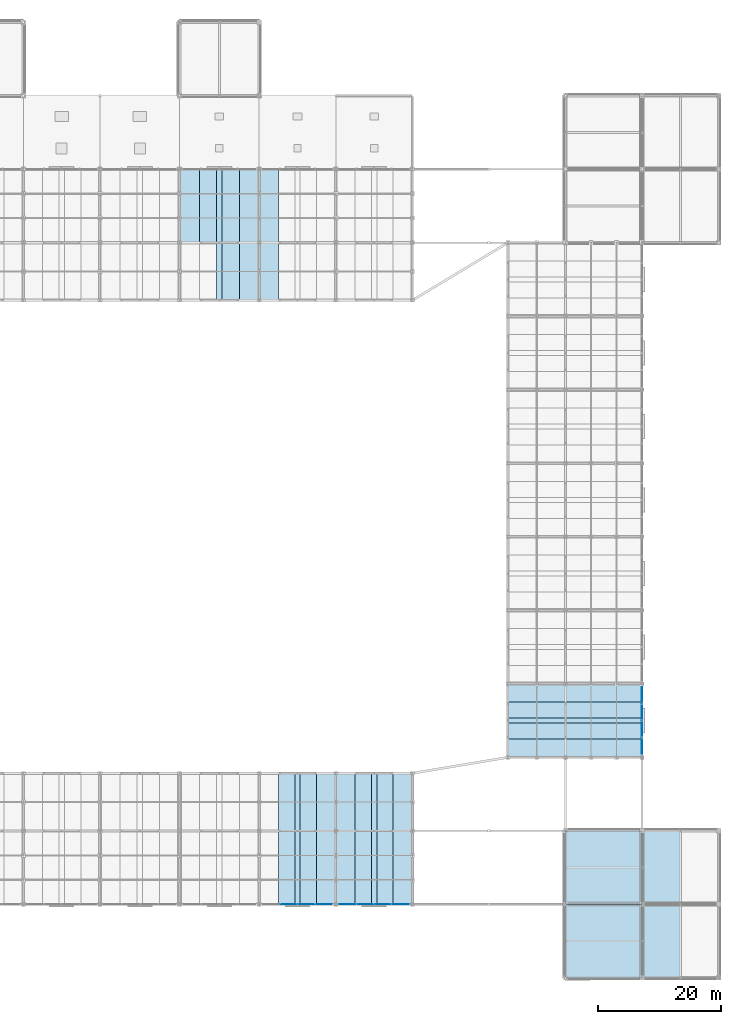
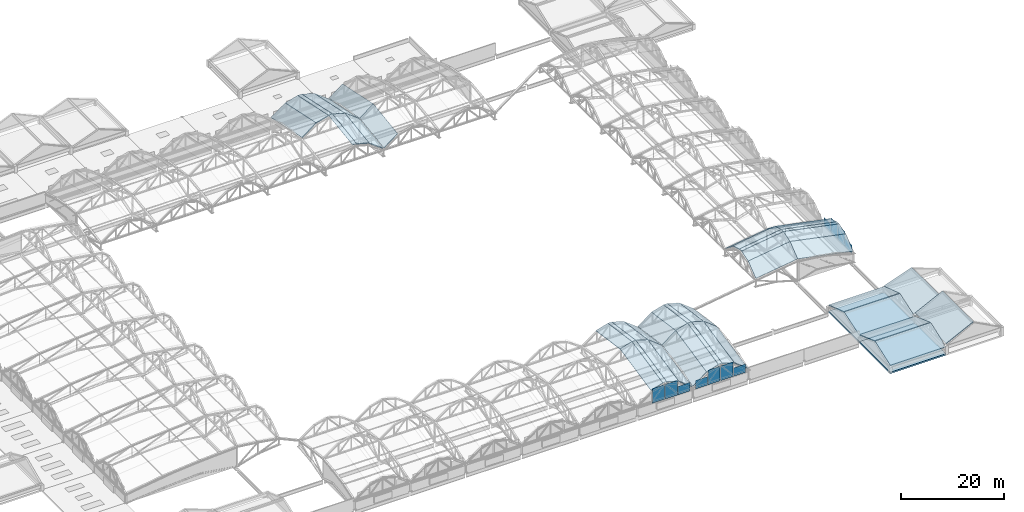
# One storey, part 93 of 117: 38 slabs, 19 plates.
"""IFC4 building model written with IfcOpenShell, lengths in metres."""

from ifc_helpers import new_model, si_unit, direction, frame, origin, origin_2d, place, context, subcontext, project, spatial, polyline, rectangle, outline, extrude, material, layer, layer_set, type_object, element, save


model = new_model("IFC4")

# Units and contexts
model_context = context("Model", 3, precision=1e-05, world=origin(), true_north=direction((0.0, 1.0)))
body_context = subcontext(model_context, "Body", "Model", "MODEL_VIEW")
ifc_project = project(units=[si_unit("LENGTHUNIT", "METRE"), si_unit("AREAUNIT", "SQUARE_METRE"), si_unit("VOLUMEUNIT", "CUBIC_METRE"), si_unit("PLANEANGLEUNIT", "RADIAN"), si_unit("MASSUNIT", "GRAM", prefix="KILO")], contexts=[model_context])

# Site, building, storey
site_placement = place(None, origin())
site = spatial("IfcSite", under=ifc_project, at=site_placement, CompositionType="ELEMENT")
building_placement = place(site_placement, origin())
building = spatial("IfcBuilding", under=site, at=building_placement, Name="Kazenohara Klinker Stadium", CompositionType="ELEMENT")
storey_placement = place(building_placement, frame((0.0, 0.0, 31.199951171875)))
storey = spatial("IfcBuildingStorey", under=building, at=storey_placement, Name="RF", CompositionType="ELEMENT", Elevation=31.199951171875)

# Plates
ifc_material_1 = material(Name="Low-e laminated triple glazing", Category="glass")
ifc_layer_1 = layer(ifc_material_1, 0.0439453125)
ifc_layer_set_1 = layer_set([ifc_layer_1], Name="Low-e laminated triple glazing")
plate_type_1 = type_object("IfcPlateType", Name="PLT-GLZ-CLER", PredefinedType="USERDEFINED", material=ifc_layer_set_1)
plate_1_placement = place(storey_placement, frame((187.5, 49.889892578125, 1.650146484375), z_axis=(0.0, 0.0, 1.0), x_axis=(1.0, 0.0, 0.0)))
element("IfcPlate", 1, at=plate_1_placement, inside=storey, type_object=plate_type_1, Name="Arched barrel clerestory glazing panel CP02 E-01-Q1", ObjectType="CLERESTORY GLAZING", PredefinedType="USERDEFINED", context=body_context, shape_type="SweptSolid", body=[
    extrude(rectangle(XDim=0.0439453125, YDim=2.580078125, at=origin_2d()), origin(), (0.0, 0.0, 1.0), 2.0),
])
for number, where, z_axis, x_axis, name in (
    (2, (187.5, 52.6201171875, 1.650146484375), (0.0, 0.0, 1.0), (1.0, 0.0, 0.0), "Arched barrel clerestory glazing panel CP02 E-01-Q2"),
    (3, (187.5, 55.3798828125, 1.650146484375), (0.0, 0.0, 1.0), (1.0, 0.0, 0.0), "Arched barrel clerestory glazing panel CP02 E-01-Q3"),
):
    element("IfcPlate", number, at=place(storey_placement, frame(where, z_axis=z_axis, x_axis=x_axis)), inside=storey, type_object=plate_type_1, Name=name, ObjectType="CLERESTORY GLAZING", PredefinedType="USERDEFINED", context=body_context, shape_type="SweptSolid", body=[
        extrude(rectangle(XDim=0.0439453125, YDim=2.639892578125, at=origin_2d()), origin(), (0.0, 0.0, 1.0), 3.5),
    ])
plate_2_placement = place(storey_placement, frame((187.5, 58.110107421875, 1.650146484375), z_axis=(0.0, 0.0, 1.0), x_axis=(1.0, 0.0, 0.0)))
element("IfcPlate", 4, at=plate_2_placement, inside=storey, type_object=plate_type_1, Name="Arched barrel clerestory glazing panel CP02 E-01-Q4", ObjectType="CLERESTORY GLAZING", PredefinedType="USERDEFINED", context=body_context, shape_type="SweptSolid", body=[
    extrude(rectangle(XDim=0.0439453125, YDim=2.580078125, at=origin_2d()), origin(), (0.0, 0.0, 1.0), 2.0),
])
for number, where, z_axis, x_axis, name in (
    (5, (129.8125, 24.0, 1.650146484375), (0.0, 0.0, 1.0), (1.0, 0.0, 0.0), "Arched barrel clerestory glazing panel CP02 S-06-Q2"),
    (6, (132.6875, 24.0, 1.650146484375), (0.0, 0.0, 1.0), (1.0, 0.0, 0.0), "Arched barrel clerestory glazing panel CP02 S-06-Q3"),
):
    element("IfcPlate", number, at=place(storey_placement, frame(where, z_axis=z_axis, x_axis=x_axis)), inside=storey, type_object=plate_type_1, Name=name, ObjectType="CLERESTORY GLAZING", PredefinedType="USERDEFINED", context=body_context, shape_type="SweptSolid", body=[
        extrude(rectangle(XDim=2.75, YDim=0.0439453125, at=origin_2d()), origin(), (0.0, 0.0, 1.0), 3.5),
    ])
for number, where, z_axis, x_axis, name in (
    (7, (135.53125, 24.0, 1.650146484375), (0.0, 0.0, 1.0), (1.0, 0.0, 0.0), "Arched barrel clerestory glazing panel CP02 S-06-Q4"),
    (8, (139.46875, 24.0, 1.650146484375), (0.0, 0.0, 1.0), (1.0, 0.0, 0.0), "Arched barrel clerestory glazing panel CP02 S-07-Q1"),
):
    element("IfcPlate", number, at=place(storey_placement, frame(where, z_axis=z_axis, x_axis=x_axis)), inside=storey, type_object=plate_type_1, Name=name, ObjectType="CLERESTORY GLAZING", PredefinedType="USERDEFINED", context=body_context, shape_type="SweptSolid", body=[
        extrude(rectangle(XDim=2.6875, YDim=0.0439453125, at=origin_2d()), origin(), (0.0, 0.0, 1.0), 2.0),
    ])
for number, where, z_axis, x_axis, name in (
    (9, (142.3125, 24.0, 1.650146484375), (0.0, 0.0, 1.0), (1.0, 0.0, 0.0), "Arched barrel clerestory glazing panel CP02 S-07-Q2"),
    (10, (145.1875, 24.0, 1.650146484375), (0.0, 0.0, 1.0), (1.0, 0.0, 0.0), "Arched barrel clerestory glazing panel CP02 S-07-Q3"),
):
    element("IfcPlate", number, at=place(storey_placement, frame(where, z_axis=z_axis, x_axis=x_axis)), inside=storey, type_object=plate_type_1, Name=name, ObjectType="CLERESTORY GLAZING", PredefinedType="USERDEFINED", context=body_context, shape_type="SweptSolid", body=[
        extrude(rectangle(XDim=2.75, YDim=0.0439453125, at=origin_2d()), origin(), (0.0, 0.0, 1.0), 3.5),
    ])
plate_3_placement = place(storey_placement, frame((148.03125, 24.0, 1.650146484375), z_axis=(0.0, 0.0, 1.0), x_axis=(1.0, 0.0, 0.0)))
element("IfcPlate", 11, at=plate_3_placement, inside=storey, type_object=plate_type_1, Name="Arched barrel clerestory glazing panel CP02 S-07-Q4", ObjectType="CLERESTORY GLAZING", PredefinedType="USERDEFINED", context=body_context, shape_type="SweptSolid", body=[
    extrude(rectangle(XDim=2.6875, YDim=0.0439453125, at=origin_2d()), origin(), (0.0, 0.0, 1.0), 2.0),
])
ifc_material_2 = material(Name="Low-e laminated skylight triple glazing", Category="glass")
ifc_layer_2 = layer(ifc_material_2, 0.048095703125)
ifc_layer_set_2 = layer_set([ifc_layer_2], Name="Low-e laminated skylight triple glazing")
plate_type_2 = type_object("IfcPlateType", Name="PLT-GLZ-VALLEY", PredefinedType="USERDEFINED", material=ifc_layer_set_2)
plate_4_placement = place(storey_placement, frame((187.5, 53.580078125, 5.670166015625), z_axis=(0.199868526152, 0.0, 0.979822724912), x_axis=(-0.979822724912, 0.0, 0.199868526152)))
element("IfcPlate", 12, at=plate_4_placement, inside=storey, type_object=plate_type_2, Name="Barrel-shell valley skylight glazing joint SKG1 E-01-OUT", ObjectType="SKYLIGHT GLAZING", PredefinedType="USERDEFINED", context=body_context, shape_type="SweptSolid", body=[
    extrude(outline(polyline([(0.0, 0.0), (12.757409766265132, 0.0), (12.757409766265132, -0.8398437500000002), (0.0, -0.8398437500000002), (0.0, 0.0)])), origin(), (0.0, 0.0, -1.0), 0.048095703125),
])
plate_5_placement = place(storey_placement, frame((175.0, 53.580078125, 8.219970703125), z_axis=(-0.142144768244, 0.0, 0.989845879347), x_axis=(-0.989845879347, 0.0, -0.142144768244)))
element("IfcPlate", 13, at=plate_5_placement, inside=storey, type_object=plate_type_2, Name="Barrel-shell valley skylight glazing joint SKG1 E-01-IN", ObjectType="SKYLIGHT GLAZING", PredefinedType="USERDEFINED", context=body_context, shape_type="SweptSolid", body=[
    extrude(outline(polyline([(0.0, 0.0), (9.496329216369972, 0.0), (9.496329216369972, -0.83984375), (0.0, -0.83984375), (0.0, 0.0)])), origin(), (0.0, 0.0, -1.0), 0.048095703125),
])
plate_6_placement = place(storey_placement, frame((118.044921875, 144.0, 5.670166015625), z_axis=(0.0, 0.207843523042, 0.978162087759), x_axis=(0.0, -0.978162087759, 0.207843523042)))
element("IfcPlate", 14, at=plate_6_placement, inside=storey, type_object=plate_type_2, Name="Barrel-shell valley skylight glazing joint SKG1 N-05-OUT", ObjectType="SKYLIGHT GLAZING", PredefinedType="USERDEFINED", context=body_context, shape_type="SweptSolid", body=[
    extrude(outline(polyline([(0.0, 0.0), (12.26790544242973, 0.0), (12.26790544242973, 0.91015625), (0.0, 0.91015625), (0.0, 0.0)])), origin(), (0.0, 0.0, -1.0), 0.048095703125),
])
plate_7_placement = place(storey_placement, frame((118.044921875, 132.0, 8.219970703125), z_axis=(0.0, -0.142144768244, 0.989845879347), x_axis=(0.0, -0.989845879347, -0.142144768244)))
element("IfcPlate", 15, at=plate_7_placement, inside=storey, type_object=plate_type_2, Name="Barrel-shell valley skylight glazing joint SKG1 N-05-IN", ObjectType="SKYLIGHT GLAZING", PredefinedType="USERDEFINED", context=body_context, shape_type="SweptSolid", body=[
    extrude(outline(polyline([(0.0, 0.0), (9.496329216369972, 0.0), (9.496329216369972, 0.91015625), (0.0, 0.91015625), (0.0, 0.0)])), origin(), (0.0, 0.0, -1.0), 0.048095703125),
])
plate_8_placement = place(storey_placement, frame((130.8125, 24.0, 5.670166015625), z_axis=(0.0, -0.207843523042, 0.978162087759), x_axis=(0.0, 0.978162087759, 0.207843523042)))
element("IfcPlate", 16, at=plate_8_placement, inside=storey, type_object=plate_type_2, Name="Barrel-shell valley skylight glazing joint SKG1 S-06-OUT", ObjectType="SKYLIGHT GLAZING", PredefinedType="USERDEFINED", context=body_context, shape_type="SweptSolid", body=[
    extrude(outline(polyline([(0.0, 0.0), (12.26790544242973, 0.0), (12.26790544242973, -0.875), (0.0, -0.875), (0.0, 0.0)])), origin(), (0.0, 0.0, -1.0), 0.048095703125),
])
plate_9_placement = place(storey_placement, frame((130.8125, 36.0, 8.219970703125), z_axis=(0.0, 0.142144768244, 0.989845879347), x_axis=(0.0, 0.989845879347, -0.142144768244)))
element("IfcPlate", 17, at=plate_9_placement, inside=storey, type_object=plate_type_2, Name="Barrel-shell valley skylight glazing joint SKG1 S-06-IN", ObjectType="SKYLIGHT GLAZING", PredefinedType="USERDEFINED", context=body_context, shape_type="SweptSolid", body=[
    extrude(outline(polyline([(0.0, 0.0), (9.496329216369972, 0.0), (9.496329216369972, -0.875), (0.0, -0.875), (0.0, 0.0)])), origin(), (0.0, 0.0, -1.0), 0.048095703125),
])
plate_10_placement = place(storey_placement, frame((143.3125, 24.0, 5.670166015625), z_axis=(0.0, -0.207843523042, 0.978162087759), x_axis=(0.0, 0.978162087759, 0.207843523042)))
element("IfcPlate", 18, at=plate_10_placement, inside=storey, type_object=plate_type_2, Name="Barrel-shell valley skylight glazing joint SKG1 S-07-OUT", ObjectType="SKYLIGHT GLAZING", PredefinedType="USERDEFINED", context=body_context, shape_type="SweptSolid", body=[
    extrude(outline(polyline([(0.0, 0.0), (12.26790544242973, 0.0), (12.26790544242973, -0.875), (0.0, -0.875), (0.0, 0.0)])), origin(), (0.0, 0.0, -1.0), 0.048095703125),
])
plate_11_placement = place(storey_placement, frame((143.3125, 36.0, 8.219970703125), z_axis=(0.0, 0.142144768244, 0.989845879347), x_axis=(0.0, 0.989845879347, -0.142144768244)))
element("IfcPlate", 19, at=plate_11_placement, inside=storey, type_object=plate_type_2, Name="Barrel-shell valley skylight glazing joint SKG1 S-07-IN", ObjectType="SKYLIGHT GLAZING", PredefinedType="USERDEFINED", context=body_context, shape_type="SweptSolid", body=[
    extrude(outline(polyline([(0.0, 0.0), (9.496329216369972, 0.0), (9.496329216369972, -0.875), (0.0, -0.875), (0.0, 0.0)])), origin(), (0.0, 0.0, -1.0), 0.048095703125),
])

# Slabs
ifc_material_3 = material(Name="Steel S355", Category="steel")
ifc_layer_3 = layer(ifc_material_3, 0.18994140625)
ifc_layer_set_3 = layer_set([ifc_layer_3], Name="Steel S355")
slab_type_1 = type_object("IfcSlabType", Name="SLB-ROOF-190", PredefinedType="ROOF", material=ifc_layer_set_3)
slab_1_placement = place(storey_placement, frame((187.5, 12.0, 2.469970703125), z_axis=(-0.441703727171, 0.0, 0.897160976304), x_axis=(0.897160976304, 0.0, 0.441703727171)))
element("IfcSlab", 20, at=slab_1_placement, inside=storey, type_object=slab_type_1, Name="Pitched turret crown roof slab RS03 GT4-SE-A", PredefinedType="ROOF", context=body_context, shape_type="SweptSolid", body=[
    extrude(outline(polyline([(0.0, 0.0), (6.905191513004975, 0.0), (6.905191513004975, 12.0), (0.0, 12.0), (0.0, 0.0)])), origin(), (0.0, 0.0, -1.0), 0.18994140625),
])
for number, where, z_axis, x_axis, name in (
    (21, (175.0, 12.0, 1.670166015625), (0.0, -0.340074319183, 0.940398563074), (1.0, 0.0, 0.0), "Pitched turret crown roof slab RS03 GT4-SW-A"),
    (22, (175.0, 18.054931640625, 3.820068359375), (0.0, 0.340074319183, 0.940398563074), (1.0, 0.0, 0.0), "Pitched turret crown roof slab RS03 GT4-SW-B"),
):
    element("IfcSlab", number, at=place(storey_placement, frame(where, z_axis=z_axis, x_axis=x_axis)), inside=storey, type_object=slab_type_1, Name=name, PredefinedType="ROOF", context=body_context, shape_type="SweptSolid", body=[
        extrude(outline(polyline([(0.0, 0.0), (12.5, 0.0), (12.5, 6.321860318395489), (0.0, 6.321860318395489), (0.0, 0.0)])), origin(), (0.0, 0.0, -1.0), 0.18994140625),
    ])
slab_2_placement = place(storey_placement, frame((187.5, 24.0, 1.670166015625), z_axis=(-0.327853404288, 0.0, 0.944728609335), x_axis=(0.944728609335, 0.0, 0.327853404288)))
element("IfcSlab", 23, at=slab_2_placement, inside=storey, type_object=slab_type_1, Name="Pitched turret crown roof slab RS03 GT4-NE-A", PredefinedType="ROOF", context=body_context, shape_type="SweptSolid", body=[
    extrude(outline(polyline([(0.0, 0.0), (6.557511118175173, 0.0), (6.557511118175173, 12.0), (0.0, 12.0), (0.0, 0.0)])), origin(), (0.0, 0.0, -1.0), 0.18994140625),
])
for number, where, z_axis, x_axis, name in (
    (24, (175.0, 24.0, 1.469970703125), (0.0, -0.31885382794, 0.947803901874), (1.0, 0.0, 0.0), "Pitched turret crown roof slab RS03 GT4-NW-A"),
    (25, (175.0, 30.054931640625, 3.469970703125), (0.0, 0.31885382794, 0.947803901874), (1.0, 0.0, 0.0), "Pitched turret crown roof slab RS03 GT4-NW-B"),
):
    element("IfcSlab", number, at=place(storey_placement, frame(where, z_axis=z_axis, x_axis=x_axis)), inside=storey, type_object=slab_type_1, Name=name, PredefinedType="ROOF", context=body_context, shape_type="SweptSolid", body=[
        extrude(outline(polyline([(0.0, 0.0), (12.5, 0.0), (12.5, 6.272466643804632), (0.0, 6.272466643804632), (0.0, 0.0)])), origin(), (0.0, 0.0, -1.0), 0.18994140625),
    ])
slab_3_placement = place(storey_placement, frame((187.5, 48.06005859375, 2.51806640625), z_axis=(0.157314226472, -0.616932337274, 0.771133403099), x_axis=(-0.979818977014, 0.0, 0.199886898729)))
element("IfcSlab", 26, at=slab_3_placement, inside=storey, type_object=slab_type_1, Name="Scalloped barrel-arch canopy slab E-01 outer strip 1", PredefinedType="ROOF", context=body_context, shape_type="SweptSolid", body=[
    extrude(outline(polyline([(0.0, 0.0), (12.757458564534776, 0.0), (13.227602700851302, -3.7355538867548352), (0.47014413631652474, -3.7355538867548352), (0.0, 0.0)])), origin(), (0.0, 0.0, -1.0), 0.18994140625),
])
slab_4_placement = place(storey_placement, frame((175.0, 48.06005859375, 5.068115234375), z_axis=(-0.111454741468, -0.620818608848, 0.775991040871), x_axis=(-0.989842261755, 0.0, -0.1421699576)))
element("IfcSlab", 27, at=slab_4_placement, inside=storey, type_object=slab_type_1, Name="Scalloped barrel-arch canopy slab E-01 inner strip 1", PredefinedType="ROOF", context=body_context, shape_type="SweptSolid", body=[
    extrude(outline(polyline([(0.0, 0.0), (9.496363922757409, 0.0), (9.16197296291469, -3.750144135328325), (-0.33439095984271777, -3.750144135328325), (0.0, 0.0)])), origin(), (0.0, 0.0, -1.0), 0.18994140625),
])
slab_5_placement = place(storey_placement, frame((187.5, 51.0, 4.8701171875), z_axis=(0.191468362766, -0.28701019737, 0.93859736451), x_axis=(-0.979820696633, 2.577642e-06, 0.199878469184)))
element("IfcSlab", 28, at=slab_5_placement, inside=storey, type_object=slab_type_1, Name="Scalloped barrel-arch canopy slab E-01 outer strip 2", PredefinedType="ROOF", context=body_context, shape_type="SweptSolid", body=[
    extrude(outline(polyline([(0.0, 0.0), (12.757458564020277, 0.0), (12.91732904362879, -2.730826108913155), (0.15991927806290396, -2.7308947656607114), (0.0, 0.0)])), origin(), (0.0, 0.0, -1.0), 0.18994140625),
])
slab_6_placement = place(storey_placement, frame((175.0, 51.0, 7.420166015625), z_axis=(-0.136061259308, -0.289700944037, 0.947396800047), x_axis=(-0.989843918815, -3.528048e-06, -0.142158419982)))
element("IfcSlab", 29, at=slab_6_placement, inside=storey, type_object=slab_type_1, Name="Scalloped barrel-arch canopy slab E-01 inner strip 2", PredefinedType="ROOF", context=body_context, shape_type="SweptSolid", body=[
    extrude(outline(polyline([(0.0, 0.0), (9.49636392205321, 0.0), (9.382621015480932, -2.733207446859171), (-0.11370819992677195, -2.733137437523795), (0.0, 0.0)])), origin(), (0.0, 0.0, -1.0), 0.18994140625),
])
slab_7_placement = place(storey_placement, frame((187.5, 54.384033203125, 5.670166015625), z_axis=(0.191468362766, 0.28701019737, 0.93859736451), x_axis=(-0.979821005365, 2.577652e-06, 0.199876955745)))
element("IfcSlab", 30, at=slab_7_placement, inside=storey, type_object=slab_type_1, Name="Scalloped barrel-arch canopy slab E-01 outer strip 3", PredefinedType="ROOF", context=body_context, shape_type="SweptSolid", body=[
    extrude(outline(polyline([(0.0, 0.0), (12.757409765750632, 1.1102230246251565e-16), (12.597553982673135, -2.7308269692510176), (-0.1599045811623955, -2.7308956262611925), (0.0, 0.0)])), origin(), (0.0, 0.0, -1.0), 0.18994140625),
])
slab_8_placement = place(storey_placement, frame((175.0, 54.384033203125, 8.219970703125), z_axis=(-0.136061259308, 0.289700944037, 0.947396800047), x_axis=(-0.989844222428, -3.528061e-06, -0.142156305924)))
element("IfcSlab", 31, at=slab_8_placement, inside=storey, type_object=slab_type_1, Name="Scalloped barrel-arch canopy slab E-01 inner strip 3", PredefinedType="ROOF", context=body_context, shape_type="SweptSolid", body=[
    extrude(outline(polyline([(0.0, 0.0), (9.496329215665769, -1.1102230246251565e-16), (9.61005197233993, -2.7332082853263064), (0.11368805054478547, -2.7331382757350666), (0.0, 0.0)])), origin(), (0.0, 0.0, -1.0), 0.18994140625),
])
slab_9_placement = place(storey_placement, frame((187.5, 57.0, 4.8701171875), z_axis=(0.157314226472, 0.616932337274, 0.771133403099), x_axis=(-0.979818977014, 0.0, 0.199886898729)))
element("IfcSlab", 32, at=slab_9_placement, inside=storey, type_object=slab_type_1, Name="Scalloped barrel-arch canopy slab E-01 outer strip 4", PredefinedType="ROOF", context=body_context, shape_type="SweptSolid", body=[
    extrude(outline(polyline([(0.0, 0.0), (12.757458564534776, 0.0), (12.287314428218252, -3.7355538867548352), (-0.47014413631652474, -3.7355538867548352), (0.0, 0.0)])), origin(), (0.0, 0.0, -1.0), 0.18994140625),
])
slab_10_placement = place(storey_placement, frame((175.0, 57.0, 7.420166015625), z_axis=(-0.111454741468, 0.620818608848, 0.775991040871), x_axis=(-0.989842261755, 0.0, -0.1421699576)))
element("IfcSlab", 33, at=slab_10_placement, inside=storey, type_object=slab_type_1, Name="Scalloped barrel-arch canopy slab E-01 inner strip 4", PredefinedType="ROOF", context=body_context, shape_type="SweptSolid", body=[
    extrude(outline(polyline([(0.0, 0.0), (9.496363922757409, 0.0), (9.830754882600127, -3.750144135328325), (0.33439095984271777, -3.750144135328325), (0.0, 0.0)])), origin(), (0.0, 0.0, -1.0), 0.18994140625),
])
slab_11_placement = place(storey_placement, frame((112.06494140625, 144.0, 2.51806640625), z_axis=(-0.585550314677, 0.168500890819, 0.79293018531), x_axis=(0.0, -0.978158041674, 0.207862563991)))
element("IfcSlab", 34, at=slab_11_placement, inside=storey, type_object=slab_type_1, Name="Scalloped barrel-arch canopy slab N-05 outer strip 1", PredefinedType="ROOF", context=body_context, shape_type="SweptSolid", body=[
    extrude(outline(polyline([(0.0, 0.0), (12.267956187801687, -2.220446049250313e-16), (12.75685949382921, 3.929085730873637), (0.48890330602752313, 3.929085730873637), (0.0, 0.0)])), origin(), (0.0, 0.0, -1.0), 0.18994140625),
])
slab_12_placement = place(storey_placement, frame((115.25, 144.0, 4.8701171875), z_axis=(-0.266140012062, 0.200356695204, 0.942882118118), x_axis=(2.496925e-06, -0.978159921463, 0.207853717884)))
element("IfcSlab", 35, at=slab_12_placement, inside=storey, type_object=slab_type_1, Name="Scalloped barrel-arch canopy slab N-05 outer strip 2", PredefinedType="ROOF", context=body_context, shape_type="SweptSolid", body=[
    extrude(outline(polyline([(0.0, 0.0), (12.267956187261762, 0.0), (12.43420564138465, 2.9399857281366906), (0.16630019965948178, 2.940049284531471), (0.0, 0.0)])), origin(), (0.0, 0.0, -1.0), 0.18994140625),
])
slab_13_placement = place(storey_placement, frame((118.916015625, 144.0, 5.670166015625), z_axis=(0.266140012062, 0.200356695204, 0.942882118118), x_axis=(2.496935e-06, -0.978160208049, 0.207852369204)))
element("IfcSlab", 36, at=slab_13_placement, inside=storey, type_object=slab_type_1, Name="Scalloped barrel-arch canopy slab N-05 outer strip 3", PredefinedType="ROOF", context=body_context, shape_type="SweptSolid", body=[
    extrude(outline(polyline([(0.0, 0.0), (12.267905441889804, 1.1102230246251565e-16), (12.101671218966882, 2.9399865893865567), (-0.1662849681302476, 2.940050146044234), (0.0, 0.0)])), origin(), (0.0, 0.0, -1.0), 0.18994140625),
])
slab_14_placement = place(storey_placement, frame((118.916015625, 132.0, 8.219970703125), z_axis=(0.269090093671, -0.136913889971, 0.953333681468), x_axis=(-3.297592e-06, -0.989844201596, -0.14215645098)))
element("IfcSlab", 37, at=slab_14_placement, inside=storey, type_object=slab_type_1, Name="Scalloped barrel-arch canopy slab N-05 inner strip 3", PredefinedType="ROOF", context=body_context, shape_type="SweptSolid", body=[
    extrude(outline(polyline([(0.0, 0.0), (9.496329215656914, 0.0), (9.610051972348888, 2.9425520702607555), (0.11368805052718453, 2.9424870415204203), (0.0, 0.0)])), origin(), (0.0, 0.0, -1.0), 0.18994140625),
])
slab_15_placement = place(storey_placement, frame((121.75, 144.0, 4.8701171875), z_axis=(0.585550314677, 0.168500890819, 0.79293018531), x_axis=(0.0, -0.978158041674, 0.207862563991)))
element("IfcSlab", 38, at=slab_15_placement, inside=storey, type_object=slab_type_1, Name="Scalloped barrel-arch canopy slab N-05 outer strip 4", PredefinedType="ROOF", context=body_context, shape_type="SweptSolid", body=[
    extrude(outline(polyline([(0.0, 0.0), (12.267956187801687, 2.220446049250313e-16), (11.779052881774163, 3.9290857308736378), (-0.48890330602752313, 3.929085730873637), (0.0, 0.0)])), origin(), (0.0, 0.0, -1.0), 0.18994140625),
])
slab_16_placement = place(storey_placement, frame((121.75, 132.0, 7.420166015625), z_axis=(0.590118441412, -0.114776178456, 0.799116170506), x_axis=(0.0, -0.989842261755, -0.1421699576)))
element("IfcSlab", 39, at=slab_16_placement, inside=storey, type_object=slab_type_1, Name="Scalloped barrel-arch canopy slab N-05 inner strip 4", PredefinedType="ROOF", context=body_context, shape_type="SweptSolid", body=[
    extrude(outline(polyline([(0.0, 0.0), (9.496363922757409, -1.1102230246251565e-16), (9.830754882600127, 3.9452406528848063), (0.33439095984271777, 3.9452406528848067), (0.0, 0.0)])), origin(), (0.0, 0.0, -1.0), 0.18994140625),
])
slab_17_placement = place(storey_placement, frame((125.0625, 144.0, 2.51806640625), z_axis=(-0.600635128848, 0.166190954627, 0.782060105487), x_axis=(0.0, -0.978158041674, 0.207862563991)))
element("IfcSlab", 40, at=slab_17_placement, inside=storey, type_object=slab_type_1, Name="Scalloped barrel-arch canopy slab N-06 outer strip 1", PredefinedType="ROOF", context=body_context, shape_type="SweptSolid", body=[
    extrude(outline(polyline([(0.0, 0.0), (12.267956187801687, 0.0), (12.75685949382921, 3.8304076395253412), (0.48890330602752313, 3.8304076395253412), (0.0, 0.0)])), origin(), (0.0, 0.0, -1.0), 0.18994140625),
])
slab_18_placement = place(storey_placement, frame((125.0625, 132.0, 5.068115234375), z_axis=(-0.605191890352, -0.113178607114, 0.787993260595), x_axis=(0.0, -0.989842261755, -0.1421699576)))
element("IfcSlab", 41, at=slab_18_placement, inside=storey, type_object=slab_type_1, Name="Scalloped barrel-arch canopy slab N-06 inner strip 1", PredefinedType="ROOF", context=body_context, shape_type="SweptSolid", body=[
    extrude(outline(polyline([(0.0, 0.0), (9.496363922757409, 1.1102230246251565e-16), (9.16197296291469, 3.846976970759534), (-0.33439095984271777, 3.846976970759534), (0.0, 0.0)])), origin(), (0.0, 0.0, -1.0), 0.18994140625),
])
slab_19_placement = place(storey_placement, frame((128.125, 24.0, 4.8701171875), z_axis=(-0.275978642066, -0.199780814547, 0.940172013656), x_axis=(2.581788e-06, 0.978159910672, 0.207853768663)))
element("IfcSlab", 42, at=slab_19_placement, inside=storey, type_object=slab_type_1, Name="Scalloped barrel-arch canopy slab S-06 outer strip 2", PredefinedType="ROOF", context=body_context, shape_type="SweptSolid", body=[
    extrude(outline(polyline([(0.0, 0.0), (12.267956187264863, 1.1102230246251565e-16), (12.43420564138151, -2.835172989445379), (0.16630019966563842, -2.835238895384851), (0.0, 0.0)])), origin(), (0.0, 0.0, -1.0), 0.18994140625),
])
slab_20_placement = place(storey_placement, frame((128.125, 36.0, 7.420166015625), z_axis=(-0.279019930215, 0.136511627499, 0.950532721215), x_axis=(-3.40922e-06, 0.989843929803, -0.142158343476)))
element("IfcSlab", 43, at=slab_20_placement, inside=storey, type_object=slab_type_1, Name="Scalloped barrel-arch canopy slab S-06 inner strip 2", PredefinedType="ROOF", context=body_context, shape_type="SweptSolid", body=[
    extrude(outline(polyline([(0.0, 0.0), (9.496363922048538, 5.551115123125783e-17), (9.382621015485547, -2.837833311036194), (-0.11370819993616703, -2.8377658828821857), (0.0, 0.0)])), origin(), (0.0, 0.0, -1.0), 0.18994140625),
])
slab_21_placement = place(storey_placement, frame((131.64990234375, 24.0, 5.670166015625), z_axis=(0.275978642066, -0.199780814547, 0.940172013656), x_axis=(2.581799e-06, 0.978160218839, 0.207852318424)))
element("IfcSlab", 44, at=slab_21_placement, inside=storey, type_object=slab_type_1, Name="Scalloped barrel-arch canopy slab S-06 outer strip 3", PredefinedType="ROOF", context=body_context, shape_type="SweptSolid", body=[
    extrude(outline(polyline([(0.0, 0.0), (12.267905441892902, 0.0), (12.101671218963823, -2.83517388253382), (-0.16628496812400692, -2.835239788745908), (0.0, 0.0)])), origin(), (0.0, 0.0, -1.0), 0.18994140625),
])
slab_22_placement = place(storey_placement, frame((131.64990234375, 36.0, 8.219970703125), z_axis=(0.279019930215, 0.136511627499, 0.950532721215), x_axis=(-3.409232e-06, 0.989844211441, -0.142156382431)))
element("IfcSlab", 45, at=slab_22_placement, inside=storey, type_object=slab_type_1, Name="Scalloped barrel-arch canopy slab S-06 inner strip 3", PredefinedType="ROOF", context=body_context, shape_type="SweptSolid", body=[
    extrude(outline(polyline([(0.0, 0.0), (9.496329215661099, -1.1102230246251565e-16), (9.610051972344655, -2.837834118589799), (0.11368805053550218, -2.8377666901893592), (0.0, 0.0)])), origin(), (0.0, 0.0, -1.0), 0.18994140625),
])
slab_23_placement = place(storey_placement, frame((134.375, 24.0, 4.8701171875), z_axis=(0.600635128848, -0.166190954627, 0.782060105487), x_axis=(0.0, 0.978158041674, 0.207862563991)))
element("IfcSlab", 46, at=slab_23_placement, inside=storey, type_object=slab_type_1, Name="Scalloped barrel-arch canopy slab S-06 outer strip 4", PredefinedType="ROOF", context=body_context, shape_type="SweptSolid", body=[
    extrude(outline(polyline([(0.0, 0.0), (12.267956187801687, 0.0), (11.779052881774163, -3.8304076395253412), (-0.48890330602752313, -3.8304076395253412), (0.0, 0.0)])), origin(), (0.0, 0.0, -1.0), 0.18994140625),
])
slab_24_placement = place(storey_placement, frame((134.375, 36.0, 7.420166015625), z_axis=(0.605191890352, 0.113178607114, 0.787993260595), x_axis=(0.0, 0.989842261755, -0.1421699576)))
element("IfcSlab", 47, at=slab_24_placement, inside=storey, type_object=slab_type_1, Name="Scalloped barrel-arch canopy slab S-06 inner strip 4", PredefinedType="ROOF", context=body_context, shape_type="SweptSolid", body=[
    extrude(outline(polyline([(0.0, 0.0), (9.496363922757409, 1.1102230246251565e-16), (9.830754882600127, -3.8469769707595334), (0.33439095984271777, -3.846976970759534), (0.0, 0.0)])), origin(), (0.0, 0.0, -1.0), 0.18994140625),
])
slab_25_placement = place(storey_placement, frame((137.5625, 24.0, 2.51806640625), z_axis=(-0.600635128848, -0.166190954627, 0.782060105487), x_axis=(0.0, 0.978158041674, 0.207862563991)))
element("IfcSlab", 48, at=slab_25_placement, inside=storey, type_object=slab_type_1, Name="Scalloped barrel-arch canopy slab S-07 outer strip 1", PredefinedType="ROOF", context=body_context, shape_type="SweptSolid", body=[
    extrude(outline(polyline([(0.0, 0.0), (12.267956187801687, 0.0), (12.75685949382921, -3.8304076395253412), (0.48890330602752313, -3.8304076395253412), (0.0, 0.0)])), origin(), (0.0, 0.0, -1.0), 0.18994140625),
])
slab_26_placement = place(storey_placement, frame((137.5625, 36.0, 5.068115234375), z_axis=(-0.605191890352, 0.113178607114, 0.787993260595), x_axis=(0.0, 0.989842261755, -0.1421699576)))
element("IfcSlab", 49, at=slab_26_placement, inside=storey, type_object=slab_type_1, Name="Scalloped barrel-arch canopy slab S-07 inner strip 1", PredefinedType="ROOF", context=body_context, shape_type="SweptSolid", body=[
    extrude(outline(polyline([(0.0, 0.0), (9.496363922757409, -1.1102230246251565e-16), (9.16197296291469, -3.846976970759534), (-0.33439095984271777, -3.846976970759534), (0.0, 0.0)])), origin(), (0.0, 0.0, -1.0), 0.18994140625),
])
slab_27_placement = place(storey_placement, frame((140.625, 24.0, 4.8701171875), z_axis=(-0.275978642066, -0.199780814547, 0.940172013656), x_axis=(2.581788e-06, 0.978159910672, 0.207853768663)))
element("IfcSlab", 50, at=slab_27_placement, inside=storey, type_object=slab_type_1, Name="Scalloped barrel-arch canopy slab S-07 outer strip 2", PredefinedType="ROOF", context=body_context, shape_type="SweptSolid", body=[
    extrude(outline(polyline([(0.0, 0.0), (12.267956187264863, 1.1102230246251565e-16), (12.43420564138151, -2.835172989445379), (0.16630019966563842, -2.835238895384851), (0.0, 0.0)])), origin(), (0.0, 0.0, -1.0), 0.18994140625),
])
slab_28_placement = place(storey_placement, frame((140.625, 36.0, 7.420166015625), z_axis=(-0.279019930215, 0.136511627499, 0.950532721215), x_axis=(-3.40922e-06, 0.989843929803, -0.142158343476)))
element("IfcSlab", 51, at=slab_28_placement, inside=storey, type_object=slab_type_1, Name="Scalloped barrel-arch canopy slab S-07 inner strip 2", PredefinedType="ROOF", context=body_context, shape_type="SweptSolid", body=[
    extrude(outline(polyline([(0.0, 0.0), (9.496363922048538, 5.551115123125783e-17), (9.382621015485547, -2.837833311036194), (-0.11370819993616703, -2.8377658828821857), (0.0, 0.0)])), origin(), (0.0, 0.0, -1.0), 0.18994140625),
])
slab_29_placement = place(storey_placement, frame((144.14990234375, 24.0, 5.670166015625), z_axis=(0.275978642066, -0.199780814547, 0.940172013656), x_axis=(2.581799e-06, 0.978160218839, 0.207852318424)))
element("IfcSlab", 52, at=slab_29_placement, inside=storey, type_object=slab_type_1, Name="Scalloped barrel-arch canopy slab S-07 outer strip 3", PredefinedType="ROOF", context=body_context, shape_type="SweptSolid", body=[
    extrude(outline(polyline([(0.0, 0.0), (12.267905441892902, 0.0), (12.101671218963823, -2.83517388253382), (-0.16628496812400692, -2.835239788745908), (0.0, 0.0)])), origin(), (0.0, 0.0, -1.0), 0.18994140625),
])
slab_30_placement = place(storey_placement, frame((144.14990234375, 36.0, 8.219970703125), z_axis=(0.279019930215, 0.136511627499, 0.950532721215), x_axis=(-3.409232e-06, 0.989844211441, -0.142156382431)))
element("IfcSlab", 53, at=slab_30_placement, inside=storey, type_object=slab_type_1, Name="Scalloped barrel-arch canopy slab S-07 inner strip 3", PredefinedType="ROOF", context=body_context, shape_type="SweptSolid", body=[
    extrude(outline(polyline([(0.0, 0.0), (9.496329215661099, -1.1102230246251565e-16), (9.610051972344655, -2.837834118589799), (0.11368805053550218, -2.8377666901893592), (0.0, 0.0)])), origin(), (0.0, 0.0, -1.0), 0.18994140625),
])
slab_31_placement = place(storey_placement, frame((146.875, 24.0, 4.8701171875), z_axis=(0.600635128848, -0.166190954627, 0.782060105487), x_axis=(0.0, 0.978158041674, 0.207862563991)))
element("IfcSlab", 54, at=slab_31_placement, inside=storey, type_object=slab_type_1, Name="Scalloped barrel-arch canopy slab S-07 outer strip 4", PredefinedType="ROOF", context=body_context, shape_type="SweptSolid", body=[
    extrude(outline(polyline([(0.0, 0.0), (12.267956187801687, 0.0), (11.779052881774163, -3.8304076395253412), (-0.48890330602752313, -3.8304076395253412), (0.0, 0.0)])), origin(), (0.0, 0.0, -1.0), 0.18994140625),
])
slab_32_placement = place(storey_placement, frame((146.875, 36.0, 7.420166015625), z_axis=(0.605191890352, 0.113178607114, 0.787993260595), x_axis=(0.0, 0.989842261755, -0.1421699576)))
element("IfcSlab", 55, at=slab_32_placement, inside=storey, type_object=slab_type_1, Name="Scalloped barrel-arch canopy slab S-07 inner strip 4", PredefinedType="ROOF", context=body_context, shape_type="SweptSolid", body=[
    extrude(outline(polyline([(0.0, 0.0), (9.496363922757409, 1.1102230246251565e-16), (9.830754882600127, -3.8469769707595334), (0.33439095984271777, -3.846976970759534), (0.0, 0.0)])), origin(), (0.0, 0.0, -1.0), 0.18994140625),
])
ifc_material_4 = material(Name="Concrete C40/50", Category="concrete")
ifc_layer_4 = layer(ifc_material_4, 0.360107421875)
ifc_layer_set_4 = layer_set([ifc_layer_4], Name="Concrete C40/50")
slab_type_2 = type_object("IfcSlabType", Name="SLB-ROOF-360", PredefinedType="ROOF", material=ifc_layer_set_4)
slab_33_placement = place(storey_placement, frame((0.0, 0.0, -0.35986328125)))
element("IfcSlab", 56, at=slab_33_placement, inside=storey, type_object=slab_type_2, Name="Main roof deck slab RS01 RF 15/B", PredefinedType="ROOF", context=body_context, shape_type="SweptSolid", body=[
    extrude(outline(polyline([(175.0, 12.0), (187.5, 12.0), (187.5, 24.0), (175.0, 24.0), (175.0, 12.0)])), origin(), (0.0, 0.0, 1.0), 0.35986328125),
])
slab_34_placement = place(storey_placement, frame((0.0, 0.0, -0.35986328125)))
element("IfcSlab", 57, at=slab_34_placement, inside=storey, type_object=slab_type_2, Name="Main roof deck slab RS01 RF 15/C", PredefinedType="ROOF", context=body_context, shape_type="SweptSolid", body=[
    extrude(outline(polyline([(175.0, 24.0), (187.5, 24.0), (187.5, 36.0), (175.0, 36.0), (175.0, 24.0)])), origin(), (0.0, 0.0, 1.0), 0.35986328125),
])

save(model, "model.ifc")
